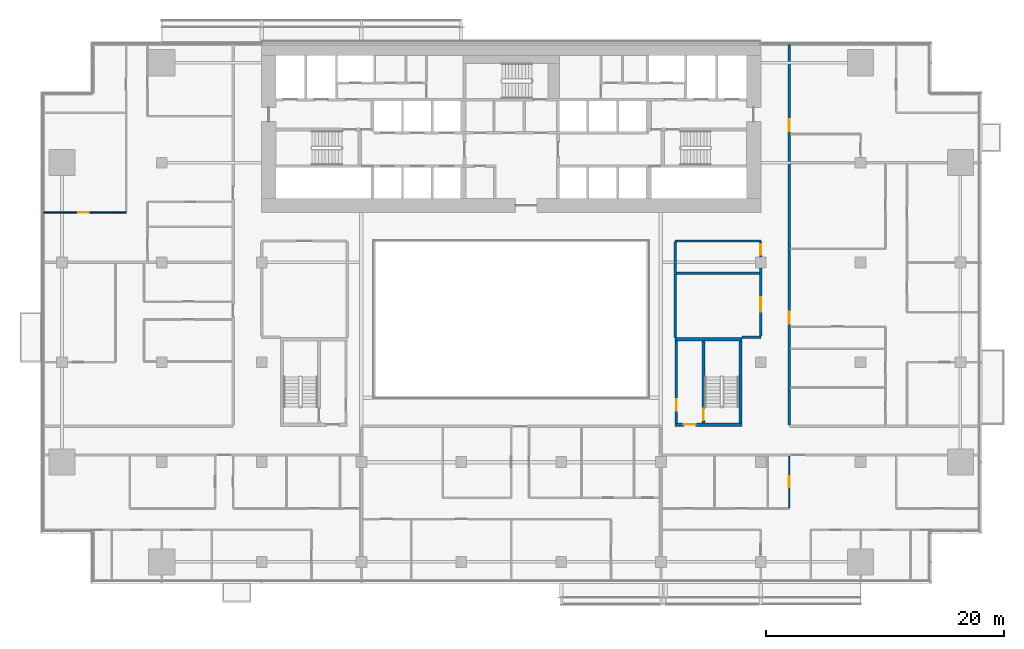
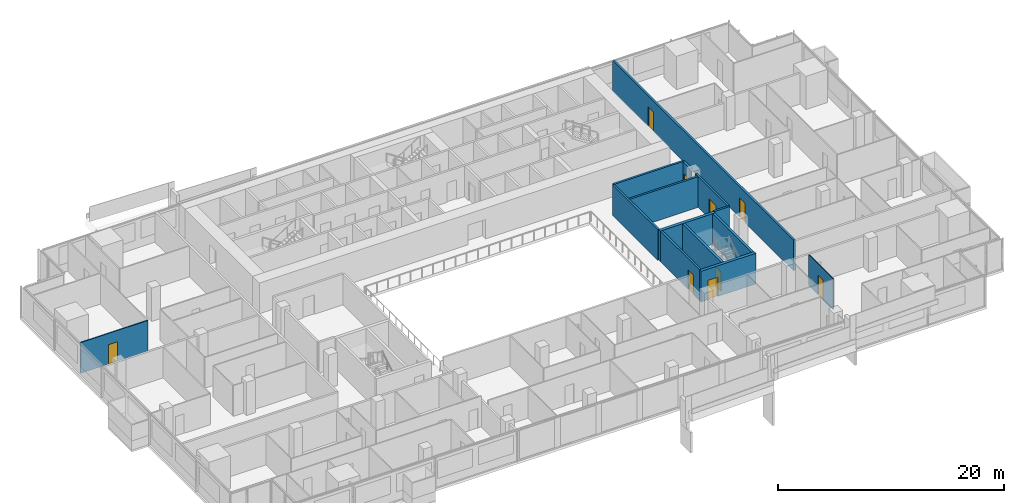
# One storey, part 19 of 27: 14 walls, 9 doors, 9 openings.
"""IFC4 building model written with IfcOpenShell, lengths in metres."""

from ifc_helpers import new_model, si_unit, direction, frame, frame_2d, origin, place, context, subcontext, project, spatial, rectangle, extrude, material, layer, layer_set, type_object, element, fill, save


model = new_model("IFC4")

# Units and contexts
model_context = context("Model", 3, precision=1e-05, world=origin(), true_north=direction((0.0, 1.0)))
body_context = subcontext(model_context, "Body", "Model", "MODEL_VIEW")
ifc_project = project(units=[si_unit("LENGTHUNIT", "METRE"), si_unit("AREAUNIT", "SQUARE_METRE"), si_unit("VOLUMEUNIT", "CUBIC_METRE"), si_unit("PLANEANGLEUNIT", "RADIAN"), si_unit("MASSUNIT", "GRAM", prefix="KILO")], contexts=[model_context])

# Site, building, storey
site_placement = place(None, origin())
site = spatial("IfcSite", under=ifc_project, at=site_placement, CompositionType="ELEMENT")
building_placement = place(site_placement, origin())
building = spatial("IfcBuilding", under=site, at=building_placement, Name="Saffron Gate Tower", CompositionType="ELEMENT")
storey_placement = place(building_placement, frame((0.0, 0.0, 66.0)))
storey = spatial("IfcBuildingStorey", under=building, at=storey_placement, Name="L15", CompositionType="ELEMENT", Elevation=66.0)

# Wall, opening, door
ifc_material_1 = material(Name="Gypsum board partition on steel studs", Category="steel")
ifc_layer_1 = layer(ifc_material_1, 0.199951171875)
ifc_layer_set_1 = layer_set([ifc_layer_1], Name="CW10 Core partition 200")
wall_type_1 = type_object("IfcWallType", Name="CW10 Core partition 200", PredefinedType="PARTITIONING", material=ifc_layer_set_1)
wall_1_placement = place(storey_placement, frame((101.5, 43.5, 0.0), z_axis=(0.0, 0.0, 1.0), x_axis=(0.0, 1.0, 0.0)))
wall_1 = element("IfcWall", 1, at=wall_1_placement, inside=storey, type_object=wall_type_1, Name="Wall CW10-L15-E-2", PredefinedType="PARTITIONING", context=body_context, shape_type="SweptSolid", body=[
    extrude(rectangle(XDim=6.89990234375, YDim=0.199951171875, at=frame_2d((3.449951171875, 0.0))), origin(), (0.0, 0.0, 1.0), 3.320068359375),
])
opening_1_placement = place(wall_1_placement, frame((1.0, 0.0, 0.0)))
opening_1 = element("IfcOpeningElement", 2, at=opening_1_placement, cuts=wall_1, Name="Opening CR-22", PredefinedType="OPENING", context=body_context, shape_type="SweptSolid", body=[
    extrude(rectangle(XDim=1.0, YDim=2.10009765625, at=frame_2d((0.5, 1.050048828125))), frame((0.0, 0.10986328125, 0.0), z_axis=(0.0, -1.0, 0.0), x_axis=(1.0, 0.0, 0.0)), (0.0, 0.0, 1.0), 0.219970703125),
])
ifc_material_2 = material(Name="Steel fire door set", Category="steel")
door_type_1 = type_object("IfcDoorType", Name="CD4 Lobby door 1000x2100 EI 120", OperationType="NOTDEFINED", PredefinedType="DOOR", material=ifc_material_2)
door_1_placement = place(opening_1_placement, origin())
door_1 = element("IfcDoor", 3, at=door_1_placement, inside=storey, type_object=door_type_1, Name="DOOR CR-22", OperationType="SINGLE_SWING_LEFT", OverallHeight=2.10009765625, OverallWidth=1.0, PredefinedType="DOOR", context=body_context, shape_type="SweptSolid", body=[
    extrude(rectangle(XDim=1.0, YDim=2.10009765625, at=frame_2d((0.5, 1.050048828125))), frame((0.0, 0.02490234375, 0.0), z_axis=(0.0, -1.0, 0.0), x_axis=(1.0, 0.0, 0.0)), (0.0, 0.0, 1.0), 0.050048828125),
])
fill(opening_1, door_1)

ifc_material_3 = material(Name="Concrete C70", Category="concrete")
ifc_layer_2 = layer(ifc_material_3, 0.25)
ifc_layer_set_2 = layer_set([ifc_layer_2], Name="CW2 RC core wall 250 C70")
wall_type_2 = type_object("IfcWallType", Name="CW2 RC core wall 250 C70", PredefinedType="SOLIDWALL", material=ifc_layer_set_2)
wall_2_placement = place(storey_placement, frame((103.77490234375, 43.5, 0.0), z_axis=(0.0, 0.0, 1.0), x_axis=(0.0, 1.0, 0.0)))
wall_2 = element("IfcWall", 4, at=wall_2_placement, inside=storey, type_object=wall_type_2, Name="Wall CW2-L15-E-3", PredefinedType="SOLIDWALL", context=body_context, shape_type="SweptSolid", body=[
    extrude(rectangle(XDim=6.89990234375, YDim=0.25, at=frame_2d((3.449951171875, 0.0))), origin(), (0.0, 0.0, 1.0), 3.320068359375),
])
opening_2_placement = place(wall_2_placement, frame((0.199951171875, 0.0, 0.0)))
opening_2 = element("IfcOpeningElement", 5, at=opening_2_placement, cuts=wall_2, Name="Opening CR-23", PredefinedType="OPENING", context=body_context, shape_type="SweptSolid", body=[
    extrude(rectangle(XDim=1.0, YDim=2.10009765625, at=frame_2d((0.5, 1.050048828125))), frame((0.0, 0.135009765625, 0.0), z_axis=(0.0, -1.0, 0.0), x_axis=(1.0, 0.0, 0.0)), (0.0, 0.0, 1.0), 0.27001953125),
])
door_type_2 = type_object("IfcDoorType", Name="CD5 Stair door 1000x2100 EI 120", OperationType="NOTDEFINED", PredefinedType="DOOR", material=ifc_material_2)
door_2_placement = place(opening_2_placement, origin())
door_2 = element("IfcDoor", 6, at=door_2_placement, inside=storey, type_object=door_type_2, Name="DOOR CR-23", OperationType="SINGLE_SWING_RIGHT", OverallHeight=2.10009765625, OverallWidth=1.0, PredefinedType="DOOR", context=body_context, shape_type="SweptSolid", body=[
    extrude(rectangle(XDim=1.0, YDim=2.10009765625, at=frame_2d((0.5, 1.050048828125))), frame((0.0, 0.02490234375, 0.0), z_axis=(0.0, -1.0, 0.0), x_axis=(1.0, 0.0, 0.0)), (0.0, 0.0, 1.0), 0.050048828125),
])
fill(opening_2, door_2)

# Wall
wall_3_placement = place(storey_placement, frame((106.875, 43.5, 0.0), z_axis=(0.0, 0.0, 1.0), x_axis=(0.0, 1.0, 0.0)))
element("IfcWall", 7, at=wall_3_placement, inside=storey, type_object=wall_type_2, Name="Wall CW2-L15-E-4", PredefinedType="SOLIDWALL", context=body_context, shape_type="SweptSolid", body=[
    extrude(rectangle(XDim=6.89990234375, YDim=0.25, at=frame_2d((3.449951171875, 0.0))), origin(), (0.0, 0.0, 1.0), 3.320068359375),
])

# Wall, opening, door
ifc_layer_3 = layer(ifc_material_3, 0.300048828125)
ifc_layer_set_3 = layer_set([ifc_layer_3], Name="CW5 RC core wall 300 C70")
wall_type_3 = type_object("IfcWallType", Name="CW5 RC core wall 300 C70", PredefinedType="SOLIDWALL", material=ifc_layer_set_3)
wall_4_placement = place(storey_placement, frame((101.39990234375, 43.35009765625, 0.0), z_axis=(0.0, 0.0, 1.0), x_axis=(1.0, 0.0, 0.0)))
wall_4 = element("IfcWall", 8, at=wall_4_placement, inside=storey, type_object=wall_type_3, Name="Wall CW5-L15-E-1", PredefinedType="SOLIDWALL", context=body_context, shape_type="SweptSolid", body=[
    extrude(rectangle(XDim=5.60009765625, YDim=0.300048828125, at=frame_2d((2.800048828125, 0.0))), origin(), (0.0, 0.0, 1.0), 3.320068359375),
])
opening_3_placement = place(wall_4_placement, frame((0.72509765625, 0.0, 0.0)))
opening_3 = element("IfcOpeningElement", 9, at=opening_3_placement, cuts=wall_4, Name="Opening CR-21", PredefinedType="OPENING", context=body_context, shape_type="SweptSolid", body=[
    extrude(rectangle(XDim=1.0, YDim=2.10009765625, at=frame_2d((0.5, 1.050048828125))), frame((0.0, 0.16015625, 0.0), z_axis=(0.0, -1.0, 0.0), x_axis=(1.0, 0.0, 0.0)), (0.0, 0.0, 1.0), 0.320068359375),
])
door_3_placement = place(opening_3_placement, origin())
door_3 = element("IfcDoor", 10, at=door_3_placement, inside=storey, type_object=door_type_1, Name="DOOR CR-21", OperationType="SINGLE_SWING_RIGHT", OverallHeight=2.10009765625, OverallWidth=1.0, PredefinedType="DOOR", context=body_context, shape_type="SweptSolid", body=[
    extrude(rectangle(XDim=1.0, YDim=2.10009765625, at=frame_2d((0.5, 1.050048828125))), frame((0.0, 0.02490234375, 0.0), z_axis=(0.0, -1.0, 0.0), x_axis=(1.0, 0.0, 0.0)), (0.0, 0.0, 1.0), 0.050048828125),
])
fill(opening_3, door_3)

# Wall
wall_5_placement = place(storey_placement, frame((101.39990234375, 50.550048828125, 0.0), z_axis=(0.0, 0.0, 1.0), x_axis=(1.0, 0.0, 0.0)))
element("IfcWall", 11, at=wall_5_placement, inside=storey, type_object=wall_type_3, Name="Wall CW5-L15-E-5", PredefinedType="SOLIDWALL", context=body_context, shape_type="SweptSolid", body=[
    extrude(rectangle(XDim=5.60009765625, YDim=0.300048828125, at=frame_2d((2.800048828125, 0.0))), origin(), (0.0, 0.0, 1.0), 3.320068359375),
])

# Wall, opening, door
ifc_material_4 = material(Name="Plasterboard on steel studs", Category="steel")
ifc_layer_4 = layer(ifc_material_4, 0.10009765625)
ifc_layer_set_4 = layer_set([ifc_layer_4], Name="PW1 Partition 100")
wall_type_4 = type_object("IfcWallType", Name="PW1 Partition 100", PredefinedType="PARTITIONING", material=ifc_layer_set_4)
wall_6_placement = place(storey_placement, frame((48.280029296875, 61.199951171875, 0.0), z_axis=(0.0, 0.0, 1.0), x_axis=(1.0, 0.0, 0.0)))
wall_6 = element("IfcWall", 12, at=wall_6_placement, inside=storey, type_object=wall_type_4, Name="Partition A3-42", PredefinedType="PARTITIONING", context=body_context, shape_type="SweptSolid", body=[
    extrude(rectangle(XDim=6.919921875, YDim=0.10009765625, at=frame_2d((3.4599609375, 0.0))), origin(), (0.0, 0.0, 1.0), 3.320068359375),
])
opening_4_placement = place(wall_6_placement, frame((2.8701171875, 0.0, 0.0)))
opening_4 = element("IfcOpeningElement", 13, at=opening_4_placement, cuts=wall_6, Name="Opening A3-27", PredefinedType="OPENING", context=body_context, shape_type="SweptSolid", body=[
    extrude(rectangle(XDim=0.89990234375, YDim=2.10009765625, at=frame_2d((0.449951171875, 1.050048828125))), frame((0.0, 0.06005859375, 0.0), z_axis=(0.0, -1.0, 0.0), x_axis=(1.0, 0.0, 0.0)), (0.0, 0.0, 1.0), 0.1201171875),
])
ifc_material_5 = material(Name="Timber door set", Category="wood")
door_type_3 = type_object("IfcDoorType", Name="RD1 Room door 900x2100", OperationType="NOTDEFINED", PredefinedType="DOOR", material=ifc_material_5)
door_4_placement = place(opening_4_placement, origin())
door_4 = element("IfcDoor", 14, at=door_4_placement, inside=storey, type_object=door_type_3, Name="Door A3-27", OperationType="SINGLE_SWING_LEFT", OverallHeight=2.10009765625, OverallWidth=0.89990234375, PredefinedType="DOOR", context=body_context, shape_type="SweptSolid", body=[
    extrude(rectangle(XDim=0.89990234375, YDim=2.10009765625, at=frame_2d((0.449951171875, 1.050048828125))), frame((0.0, 0.02490234375, 0.0), z_axis=(0.0, -1.0, 0.0), x_axis=(1.0, 0.0, 0.0)), (0.0, 0.0, 1.0), 0.050048828125),
])
fill(opening_4, door_4)

wall_7_placement = place(storey_placement, frame((111.0, 36.35009765625, 0.0), z_axis=(0.0, 0.0, 1.0), x_axis=(0.0, 1.0, 0.0)))
wall_7 = element("IfcWall", 15, at=wall_7_placement, inside=storey, type_object=wall_type_4, Name="Partition A3-93", PredefinedType="PARTITIONING", context=body_context, shape_type="SweptSolid", body=[
    extrude(rectangle(XDim=4.349853515625, YDim=0.10009765625, at=frame_2d((2.1748046875, 0.0))), origin(), (0.0, 0.0, 1.0), 3.320068359375),
])
opening_5_placement = place(wall_7_placement, frame((1.75, 0.0, 0.0)))
opening_5 = element("IfcOpeningElement", 16, at=opening_5_placement, cuts=wall_7, Name="Opening A3-24", PredefinedType="OPENING", context=body_context, shape_type="SweptSolid", body=[
    extrude(rectangle(XDim=0.89990234375, YDim=2.10009765625, at=frame_2d((0.449951171875, 1.050048828125))), frame((0.0, 0.06005859375, 0.0), z_axis=(0.0, -1.0, 0.0), x_axis=(1.0, 0.0, 0.0)), (0.0, 0.0, 1.0), 0.1201171875),
])
door_5_placement = place(opening_5_placement, origin())
door_5 = element("IfcDoor", 17, at=door_5_placement, inside=storey, type_object=door_type_3, Name="Door A3-24", OperationType="SINGLE_SWING_RIGHT", OverallHeight=2.10009765625, OverallWidth=0.89990234375, PredefinedType="DOOR", context=body_context, shape_type="SweptSolid", body=[
    extrude(rectangle(XDim=0.89990234375, YDim=2.10009765625, at=frame_2d((0.449951171875, 1.050048828125))), frame((0.0, 0.02490234375, 0.0), z_axis=(0.0, -1.0, 0.0), x_axis=(1.0, 0.0, 0.0)), (0.0, 0.0, 1.0), 0.050048828125),
])
fill(opening_5, door_5)

# Walls
ifc_material_6 = material(Name="Clay brick masonry, rendered", Category="masonry")
ifc_layer_5 = layer(ifc_material_6, 0.199951171875)
ifc_layer_set_5 = layer_set([ifc_layer_5], Name="PW3 Corridor wall 200")
wall_type_5 = type_object("IfcWallType", Name="PW3 Corridor wall 200", PredefinedType="PARTITIONING", material=ifc_layer_set_5)
wall_8_placement = place(storey_placement, frame((107.0, 50.699951171875, 0.0), z_axis=(0.0, 0.0, 1.0), x_axis=(1.0, 0.0, 0.0)))
element("IfcWall", 18, at=wall_8_placement, inside=storey, type_object=wall_type_5, Name="Wall A3-27", PredefinedType="PARTITIONING", context=body_context, shape_type="SweptSolid", body=[
    extrude(rectangle(XDim=1.60009765625, YDim=0.199951171875, at=frame_2d((0.800048828125, 0.0))), origin(), (0.0, 0.0, 1.0), 3.320068359375),
])
wall_9_placement = place(storey_placement, frame((101.39990234375, 58.800048828125, 0.0), z_axis=(0.0, 0.0, 1.0), x_axis=(1.0, 0.0, 0.0)))
element("IfcWall", 19, at=wall_9_placement, inside=storey, type_object=wall_type_5, Name="Wall A3-40", PredefinedType="PARTITIONING", context=body_context, shape_type="SweptSolid", body=[
    extrude(rectangle(XDim=7.2001953125, YDim=0.199951171875, at=frame_2d((3.60009765625, 0.0))), origin(), (0.0, 0.0, 1.0), 3.320068359375),
])
wall_10_placement = place(storey_placement, frame((101.39990234375, 58.699951171875, 0.0), z_axis=(0.0, 0.0, 1.0), x_axis=(0.0, -1.0, 0.0)))
element("IfcWall", 20, at=wall_10_placement, inside=storey, type_object=wall_type_5, Name="Wall A3-85", PredefinedType="PARTITIONING", context=body_context, shape_type="SweptSolid", body=[
    extrude(rectangle(XDim=8.0, YDim=0.199951171875, at=frame_2d((4.0, 0.0))), origin(), (0.0, 0.0, 1.0), 3.320068359375),
])

# Wall, opening, door
wall_11_placement = place(storey_placement, frame((108.60009765625, 50.800048828125, 0.0), z_axis=(0.0, 0.0, 1.0), x_axis=(0.0, 1.0, 0.0)))
wall_11 = element("IfcWall", 21, at=wall_11_placement, inside=storey, type_object=wall_type_5, Name="Wall A3-87", PredefinedType="PARTITIONING", context=body_context, shape_type="SweptSolid", body=[
    extrude(rectangle(XDim=5.72998046875, YDim=0.199951171875, at=frame_2d((2.864990234375, 0.0))), origin(), (0.0, 0.0, 1.0), 3.320068359375),
])
opening_6_placement = place(wall_11_placement, frame((2.050048828125, 0.0, 0.0)))
opening_6 = element("IfcOpeningElement", 22, at=opening_6_placement, cuts=wall_11, Name="Opening A3-49", PredefinedType="OPENING", context=body_context, shape_type="SweptSolid", body=[
    extrude(rectangle(XDim=1.199951171875, YDim=2.10009765625, at=frame_2d((0.60009765625, 1.050048828125))), frame((0.0, 0.10986328125, 0.0), z_axis=(0.0, -1.0, 0.0), x_axis=(1.0, 0.0, 0.0)), (0.0, 0.0, 1.0), 0.219970703125),
])
door_type_4 = type_object("IfcDoorType", Name="HD1 Hall door 1200x2100", OperationType="NOTDEFINED", PredefinedType="DOOR", material=ifc_material_5)
door_6_placement = place(opening_6_placement, origin())
door_6 = element("IfcDoor", 23, at=door_6_placement, inside=storey, type_object=door_type_4, Name="Door A3-49", OperationType="SINGLE_SWING_RIGHT", OverallHeight=2.10009765625, OverallWidth=1.199951171875, PredefinedType="DOOR", context=body_context, shape_type="SweptSolid", body=[
    extrude(rectangle(XDim=1.199951171875, YDim=2.10009765625, at=frame_2d((0.60009765625, 1.050048828125))), frame((0.0, 0.02490234375, 0.0), z_axis=(0.0, -1.0, 0.0), x_axis=(1.0, 0.0, 0.0)), (0.0, 0.0, 1.0), 0.050048828125),
])
fill(opening_6, door_6)

wall_12_placement = place(storey_placement, frame((108.60009765625, 57.469970703125, 0.0), z_axis=(0.0, 0.0, 1.0), x_axis=(0.0, 1.0, 0.0)))
wall_12 = element("IfcWall", 24, at=wall_12_placement, inside=storey, type_object=wall_type_5, Name="Wall A3-88", PredefinedType="PARTITIONING", context=body_context, shape_type="SweptSolid", body=[
    extrude(rectangle(XDim=1.22998046875, YDim=0.199951171875, at=frame_2d((0.614990234375, 0.0))), origin(), (0.0, 0.0, 1.0), 3.320068359375),
])
opening_7_placement = place(wall_12_placement, frame((0.1650390625, 0.0, 0.0)))
opening_7 = element("IfcOpeningElement", 25, at=opening_7_placement, cuts=wall_12, Name="Opening A3-36", PredefinedType="OPENING", context=body_context, shape_type="SweptSolid", body=[
    extrude(rectangle(XDim=0.89990234375, YDim=2.10009765625, at=frame_2d((0.449951171875, 1.050048828125))), frame((0.0, 0.10986328125, 0.0), z_axis=(0.0, -1.0, 0.0), x_axis=(1.0, 0.0, 0.0)), (0.0, 0.0, 1.0), 0.219970703125),
])
door_7_placement = place(opening_7_placement, origin())
door_7 = element("IfcDoor", 26, at=door_7_placement, inside=storey, type_object=door_type_3, Name="Door A3-36", OperationType="SINGLE_SWING_RIGHT", OverallHeight=2.10009765625, OverallWidth=0.89990234375, PredefinedType="DOOR", context=body_context, shape_type="SweptSolid", body=[
    extrude(rectangle(XDim=0.89990234375, YDim=2.10009765625, at=frame_2d((0.449951171875, 1.050048828125))), frame((0.0, 0.02490234375, 0.0), z_axis=(0.0, -1.0, 0.0), x_axis=(1.0, 0.0, 0.0)), (0.0, 0.0, 1.0), 0.050048828125),
])
fill(opening_7, door_7)

# Wall, openings, doors
wall_13_placement = place(storey_placement, frame((111.0, 75.320068359375, 0.0), z_axis=(0.0, 0.0, 1.0), x_axis=(0.0, -1.0, 0.0)))
wall_13 = element("IfcWall", 27, at=wall_13_placement, inside=storey, type_object=wall_type_5, Name="Wall A3-92", PredefinedType="PARTITIONING", context=body_context, shape_type="SweptSolid", body=[
    extrude(rectangle(XDim=32.02001953125, YDim=0.199951171875, at=frame_2d((16.010009765625, 0.0))), origin(), (0.0, 0.0, 1.0), 3.320068359375),
])
opening_8_placement = place(wall_13_placement, frame((6.27001953125, 0.0, 0.0)))
opening_8 = element("IfcOpeningElement", 28, at=opening_8_placement, cuts=wall_13, Name="Opening A3-7", PredefinedType="OPENING", context=body_context, shape_type="SweptSolid", body=[
    extrude(rectangle(XDim=1.0, YDim=2.10009765625, at=frame_2d((0.5, 1.050048828125))), frame((0.0, 0.10986328125, 0.0), z_axis=(0.0, -1.0, 0.0), x_axis=(1.0, 0.0, 0.0)), (0.0, 0.0, 1.0), 0.219970703125),
])
opening_9_placement = place(wall_13_placement, frame((22.469970703125, 0.0, 0.0)))
opening_9 = element("IfcOpeningElement", 29, at=opening_9_placement, cuts=wall_13, Name="Opening A3-6", PredefinedType="OPENING", context=body_context, shape_type="SweptSolid", body=[
    extrude(rectangle(XDim=1.0, YDim=2.10009765625, at=frame_2d((0.5, 1.050048828125))), frame((0.0, 0.10986328125, 0.0), z_axis=(0.0, -1.0, 0.0), x_axis=(1.0, 0.0, 0.0)), (0.0, 0.0, 1.0), 0.219970703125),
])
ifc_material_7 = material(Name="Timber fire door set", Category="wood")
door_type_5 = type_object("IfcDoorType", Name="FD1 Flat entry door 1000x2100", OperationType="NOTDEFINED", PredefinedType="DOOR", material=ifc_material_7)
door_8_placement = place(opening_8_placement, origin())
door_8 = element("IfcDoor", 30, at=door_8_placement, inside=storey, type_object=door_type_5, Name="Door A3-7", OperationType="SINGLE_SWING_RIGHT", OverallHeight=2.10009765625, OverallWidth=1.0, PredefinedType="DOOR", context=body_context, shape_type="SweptSolid", body=[
    extrude(rectangle(XDim=1.0, YDim=2.10009765625, at=frame_2d((0.5, 1.050048828125))), frame((0.0, 0.02490234375, 0.0), z_axis=(0.0, -1.0, 0.0), x_axis=(1.0, 0.0, 0.0)), (0.0, 0.0, 1.0), 0.050048828125),
])
fill(opening_8, door_8)
door_9_placement = place(opening_9_placement, origin())
door_9 = element("IfcDoor", 31, at=door_9_placement, inside=storey, type_object=door_type_5, Name="Door A3-6", OperationType="SINGLE_SWING_LEFT", OverallHeight=2.10009765625, OverallWidth=1.0, PredefinedType="DOOR", context=body_context, shape_type="SweptSolid", body=[
    extrude(rectangle(XDim=1.0, YDim=2.10009765625, at=frame_2d((0.5, 1.050048828125))), frame((0.0, 0.02490234375, 0.0), z_axis=(0.0, -1.0, 0.0), x_axis=(1.0, 0.0, 0.0)), (0.0, 0.0, 1.0), 0.050048828125),
])
fill(opening_9, door_9)

# Wall
ifc_layer_6 = layer(ifc_material_6, 0.199951171875)
ifc_layer_set_6 = layer_set([ifc_layer_6], Name="PW5 Room wall 200")
wall_type_6 = type_object("IfcWallType", Name="PW5 Room wall 200", PredefinedType="PARTITIONING", material=ifc_layer_set_6)
wall_14_placement = place(storey_placement, frame((101.5, 56.10009765625, 0.0), z_axis=(0.0, 0.0, 1.0), x_axis=(1.0, 0.0, 0.0)))
element("IfcWall", 32, at=wall_14_placement, inside=storey, type_object=wall_type_6, Name="Wall A3-32", PredefinedType="PARTITIONING", context=body_context, shape_type="SweptSolid", body=[
    extrude(rectangle(XDim=7.0, YDim=0.199951171875, at=frame_2d((3.5, 0.0))), origin(), (0.0, 0.0, 1.0), 3.320068359375),
])

save(model, "model.ifc")
